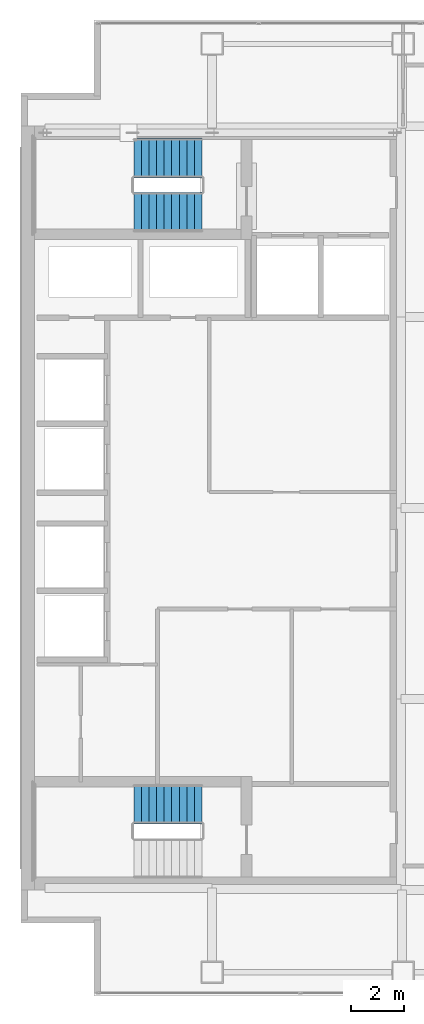
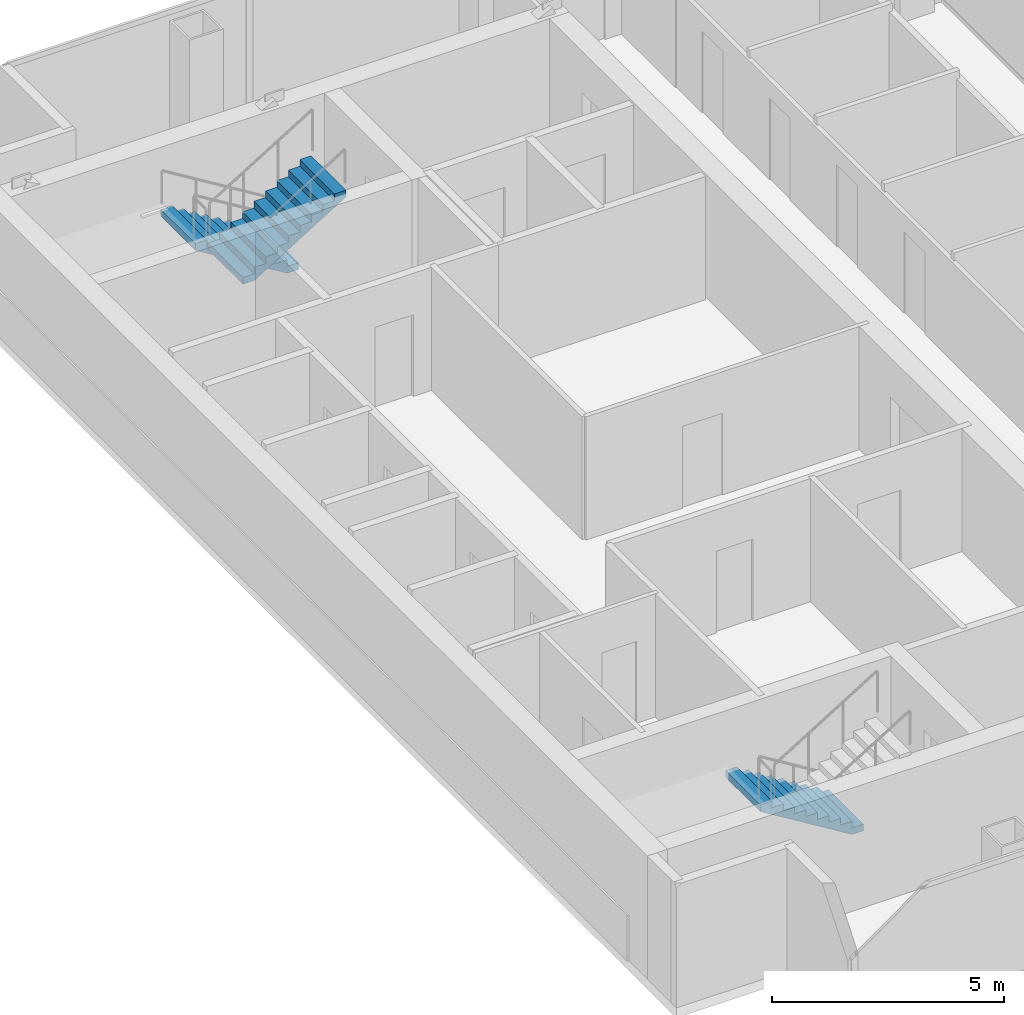
# One storey, part 22 of 23: 3 stair flights, 2 elements without a shape of their own.
"""IFC4 building model written with IfcOpenShell, lengths in metres."""

from ifc_helpers import new_model, si_unit, direction, frame, origin, place, context, subcontext, project, spatial, polyline, outline, extrude, material, type_object, element, aggregate, save


model = new_model("IFC4")

# Units and contexts
model_context = context("Model", 3, precision=1e-05, world=origin(), true_north=direction((0.0, 1.0)))
body_context = subcontext(model_context, "Body", "Model", "MODEL_VIEW")
ifc_project = project(units=[si_unit("LENGTHUNIT", "METRE"), si_unit("AREAUNIT", "SQUARE_METRE"), si_unit("VOLUMEUNIT", "CUBIC_METRE"), si_unit("PLANEANGLEUNIT", "RADIAN"), si_unit("MASSUNIT", "GRAM", prefix="KILO")], contexts=[model_context])

# Site, building, storey
site_placement = place(None, origin())
site = spatial("IfcSite", under=ifc_project, at=site_placement, CompositionType="ELEMENT")
building_placement = place(site_placement, origin())
building = spatial("IfcBuilding", under=site, at=building_placement, Name="Cobrela Telecom Tower", CompositionType="ELEMENT")
storey_placement = place(building_placement, frame((0.0, 0.0, 180.25)))
storey = spatial("IfcBuildingStorey", under=building, at=storey_placement, Name="L45", CompositionType="ELEMENT", Elevation=180.25)

# Stair, stair flights
ifc_material = material(Name="Concrete C40/50", Category="concrete")
stair_type = type_object("IfcStairType", Name="STAIR-CORE", PredefinedType="HALF_TURN_STAIR", material=ifc_material)
stair_1_placement = place(storey_placement, origin())
stair_1 = element("IfcStair", 1, at=stair_1_placement, inside=storey, type_object=stair_type, Name="L45 Smokeproof Exit Stair ST1", PredefinedType="HALF_TURN_STAIR")
stair_flight_type = type_object("IfcStairFlightType", Name="FLIGHT-CORE", PredefinedType="STRAIGHT", material=ifc_material)
stair_flight_1_placement = place(storey_placement, frame((6.820068359375, 34.800048828125, 0.0), z_axis=(0.0, 0.0, 1.0), x_axis=(-1.0, 0.0, 0.0)))
stair_flight_1 = element("IfcStairFlight", 2, at=stair_flight_1_placement, type_object=stair_flight_type, Name="ST1 flight 1", NumberOfRisers=10, NumberOfTreads=9, PredefinedType="STRAIGHT", RiserHeight=0.175, TreadLength=0.285, context=body_context, shape_type="SweptSolid", body=[
    extrude(outline(polyline([(0.0, 0.0), (0.0, 0.175048828125), (0.284912109375, 0.175048828125), (0.284912109375, 0.35009765625), (0.570068359375, 0.35009765625), (0.570068359375, 0.52490234375), (0.85498046875, 0.52490234375), (0.85498046875, 0.699951171875), (1.139892578125, 0.699951171875), (1.139892578125, 0.875), (1.425048828125, 0.875), (1.425048828125, 1.050048828125), (1.7099609375, 1.050048828125), (1.7099609375, 1.22509765625), (1.9951171875, 1.22509765625), (1.9951171875, 1.39990234375), (2.280029296875, 1.39990234375), (2.280029296875, 1.574951171875), (2.56494140625, 1.574951171875), (2.56494140625, 1.75), (2.56494140625, 1.399169921875), (0.286376953125, 0.0), (0.0, 0.0)])), frame((0.0, 0.75, 0.0), z_axis=(0.0, -1.0, 0.0), x_axis=(1.0, 0.0, 0.0)), (0.0, 0.0, 1.0), 1.5),
])
stair_flight_2_placement = place(storey_placement, frame((4.2548828125, 32.75, 1.75), z_axis=(0.0, 0.0, 1.0), x_axis=(1.0, 0.0, 0.0)))
stair_flight_2 = element("IfcStairFlight", 3, at=stair_flight_2_placement, type_object=stair_flight_type, Name="ST1 flight 2", NumberOfRisers=10, NumberOfTreads=9, PredefinedType="STRAIGHT", RiserHeight=0.175, TreadLength=0.285, context=body_context, shape_type="SweptSolid", body=[
    extrude(outline(polyline([(0.0, 0.0), (0.0, 0.175048828125), (0.284912109375, 0.175048828125), (0.284912109375, 0.35009765625), (0.570068359375, 0.35009765625), (0.570068359375, 0.52490234375), (0.85498046875, 0.52490234375), (0.85498046875, 0.699951171875), (1.139892578125, 0.699951171875), (1.139892578125, 0.875), (1.425048828125, 0.875), (1.425048828125, 1.050048828125), (1.7099609375, 1.050048828125), (1.7099609375, 1.22509765625), (1.9951171875, 1.22509765625), (1.9951171875, 1.39990234375), (2.280029296875, 1.39990234375), (2.280029296875, 1.574951171875), (2.56494140625, 1.574951171875), (2.56494140625, 1.75), (2.56494140625, 1.399169921875), (0.286376953125, 0.0), (0.0, 0.0)])), frame((0.0, 0.75, 0.0), z_axis=(0.0, -1.0, 0.0), x_axis=(1.0, 0.0, 0.0)), (0.0, 0.0, 1.0), 1.5),
])
aggregate(stair_1, [stair_flight_1, stair_flight_2])

# Stair, stair flight
stair_2_placement = place(storey_placement, origin())
stair_2 = element("IfcStair", 4, at=stair_2_placement, inside=storey, type_object=stair_type, Name="L45 Smokeproof Exit Stair ST2", PredefinedType="HALF_TURN_STAIR")
stair_flight_3_placement = place(storey_placement, frame((6.820068359375, 10.449951171875, 0.0), z_axis=(0.0, 0.0, 1.0), x_axis=(-1.0, 0.0, 0.0)))
stair_flight_3 = element("IfcStairFlight", 5, at=stair_flight_3_placement, type_object=stair_flight_type, Name="ST2 flight 1", NumberOfRisers=10, NumberOfTreads=9, PredefinedType="STRAIGHT", RiserHeight=0.175, TreadLength=0.285, context=body_context, shape_type="SweptSolid", body=[
    extrude(outline(polyline([(0.0, 0.0), (0.0, 0.175048828125), (0.284912109375, 0.175048828125), (0.284912109375, 0.35009765625), (0.570068359375, 0.35009765625), (0.570068359375, 0.52490234375), (0.85498046875, 0.52490234375), (0.85498046875, 0.699951171875), (1.139892578125, 0.699951171875), (1.139892578125, 0.875), (1.425048828125, 0.875), (1.425048828125, 1.050048828125), (1.7099609375, 1.050048828125), (1.7099609375, 1.22509765625), (1.9951171875, 1.22509765625), (1.9951171875, 1.39990234375), (2.280029296875, 1.39990234375), (2.280029296875, 1.574951171875), (2.56494140625, 1.574951171875), (2.56494140625, 1.75), (2.56494140625, 1.399169921875), (0.286376953125, 0.0), (0.0, 0.0)])), frame((0.0, 0.75, 0.0), z_axis=(0.0, -1.0, 0.0), x_axis=(1.0, 0.0, 0.0)), (0.0, 0.0, 1.0), 1.5),
])
aggregate(stair_2, [stair_flight_3])

save(model, "model.ifc")
